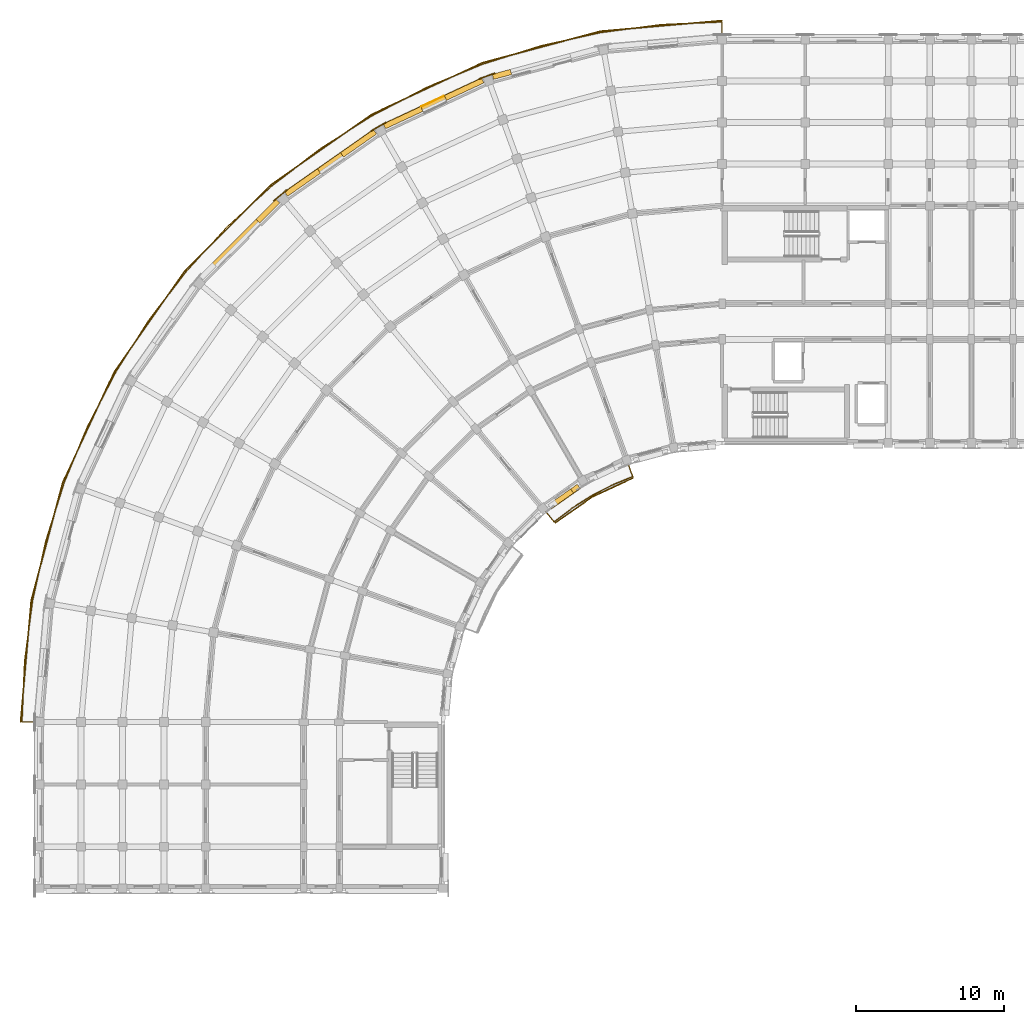
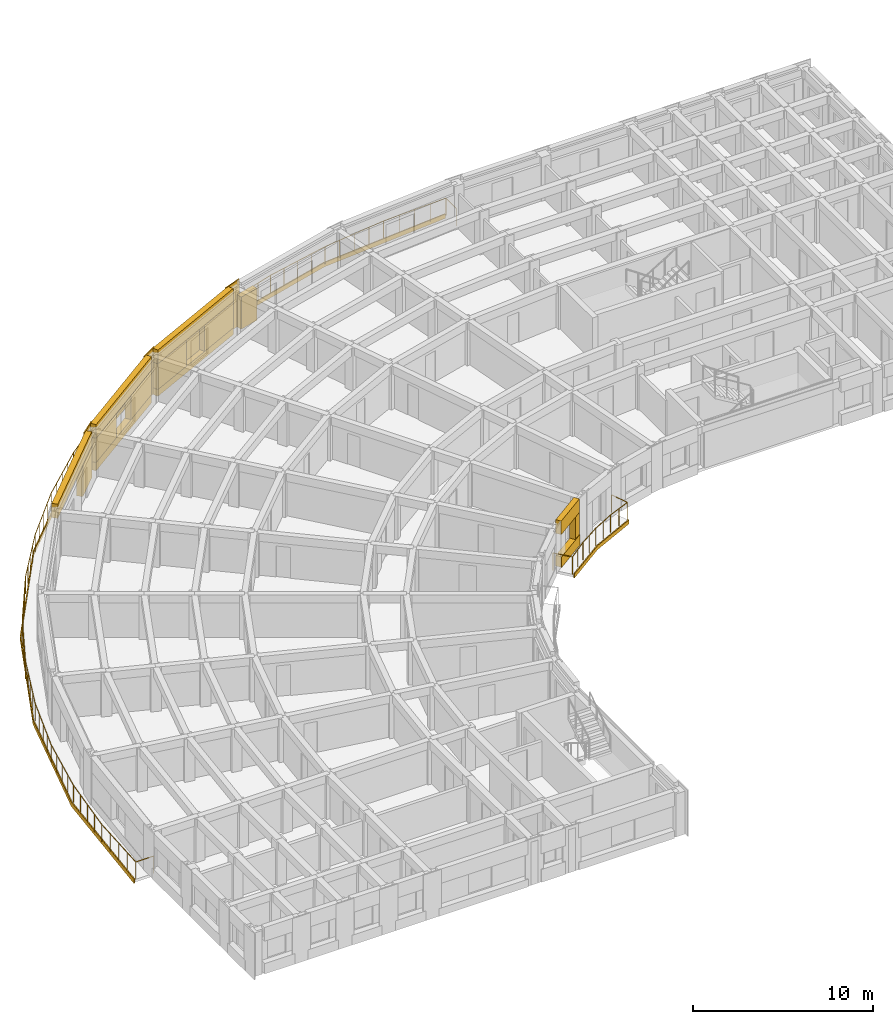
# One storey, part 28 of 36: 19 coverings, 2 railings, 1 shading device.
"""IFC4 building model written with IfcOpenShell, lengths in metres."""

from ifc_helpers import new_model, si_unit, direction, frame, origin, origin_2d, place, context, subcontext, project, spatial, polyline, rectangle, circle, outline, extrude, material, layer, layer_set, type_object, element, save


model = new_model("IFC4")

# Units and contexts
model_context = context("Model", 3, precision=1e-05, world=origin(), true_north=direction((0.0, 1.0)))
body_context = subcontext(model_context, "Body", "Model", "MODEL_VIEW")
ifc_project = project(units=[si_unit("LENGTHUNIT", "METRE"), si_unit("AREAUNIT", "SQUARE_METRE"), si_unit("VOLUMEUNIT", "CUBIC_METRE"), si_unit("PLANEANGLEUNIT", "RADIAN"), si_unit("MASSUNIT", "GRAM", prefix="KILO")], contexts=[model_context])

# Site, building, storey
site_placement = place(None, origin())
site = spatial("IfcSite", under=ifc_project, at=site_placement, CompositionType="ELEMENT")
building_placement = place(site_placement, origin())
building = spatial("IfcBuilding", under=site, at=building_placement, Name="Kiranvali Square Residences", CompositionType="ELEMENT")
storey_placement = place(building_placement, frame((0.0, 0.0, 37.050048828125)))
storey = spatial("IfcBuildingStorey", under=building, at=storey_placement, Name="L11", CompositionType="ELEMENT", Elevation=37.050048828125)

# Coverings
ifc_material_1 = material(Name="Carved Porbandar limestone classical entablature and cornice", Category="masonry")
ifc_layer_1 = layer(ifc_material_1, 0.072021484375)
ifc_layer_set_1 = layer_set([ifc_layer_1], Name="Carved Porbandar limestone classical entablature and cornice")
covering_type_1 = type_object("IfcCoveringType", Name="COV-CLAD-BAL", PredefinedType="CLADDING", material=ifc_layer_set_1)
covering_1_placement = place(storey_placement, frame((0.0, 0.0, -0.239990234375)))
element("IfcCovering", 1, at=covering_1_placement, inside=storey, type_object=covering_type_1, Name="Block A L11 continuous curved limestone balcony fascia", PredefinedType="CLADDING", context=body_context, shape_type="SweptSolid", body=[
    extrude(outline(polyline([(48.199951171875, 135.117919921875), (39.9833984375, 134.399169921875), (32.016357421875, 132.264404296875), (24.541015625, 128.778564453125), (17.78466796875, 124.047607421875), (11.952392578125, 118.21533203125), (7.221435546875, 111.458984375), (3.735595703125, 103.983642578125), (1.600830078125, 96.0166015625), (0.882080078125, 87.800048828125), (0.947998046875, 87.800048828125), (1.665771484375, 96.005126953125), (3.797607421875, 103.961181640625), (7.278564453125, 111.426025390625), (12.0029296875, 118.173095703125), (17.826904296875, 123.9970703125), (24.573974609375, 128.721435546875), (32.038818359375, 132.202392578125), (39.994873046875, 134.334228515625), (48.199951171875, 135.052001953125), (48.199951171875, 135.117919921875)])), origin(), (0.0, 0.0, 1.0), 0.300048828125),
])
ifc_layer_2 = layer(ifc_material_1, 0.06201171875)
ifc_layer_set_2 = layer_set([ifc_layer_2], Name="Carved Porbandar limestone classical entablature and cornice")
covering_type_2 = type_object("IfcCoveringType", Name="COV-CLAD-GBAL", PredefinedType="CLADDING", material=ifc_layer_set_2)
covering_2_placement = place(storey_placement, frame((0.0, 0.0, -0.219970703125)))
element("IfcCovering", 2, at=covering_2_placement, inside=storey, type_object=covering_type_2, Name="Block A L11 garden balcony limestone fascia 1", PredefinedType="CLADDING", context=body_context, shape_type="SweptSolid", body=[
    extrude(outline(polyline([(42.1982421875, 104.289794921875), (39.426025390625, 102.9970703125), (36.92041015625, 101.242431640625), (36.964111328125, 101.1904296875), (39.4599609375, 102.938232421875), (42.221435546875, 104.225830078125), (42.1982421875, 104.289794921875)])), origin(), (0.0, 0.0, 1.0), 0.27001953125),
])
ifc_material_2 = material(Name="Honed Porbandar limestone ashlar facade cladding", Category="masonry")
ifc_layer_3 = layer(ifc_material_2, 0.3798828125)
ifc_layer_set_3 = layer_set([ifc_layer_3], Name="Honed Porbandar limestone ashlar facade cladding")
covering_type_3 = type_object("IfcCoveringType", Name="COV-CLAD-JAMB", PredefinedType="CLADDING", material=ifc_layer_set_3)
covering_3_placement = place(storey_placement, origin())
element("IfcCovering", 3, at=covering_3_placement, inside=storey, type_object=covering_type_3, Name="L11 deep limestone window jamb reveal A-L11-CRV-01.R", PredefinedType="CLADDING", context=body_context, shape_type="SweptSolid", body=[
    extrude(outline(polyline([(33.922119140625, 131.788330078125), (32.7119140625, 131.464111328125), (32.804931640625, 131.116943359375), (34.01513671875, 131.441162109375), (33.922119140625, 131.788330078125)])), origin(), (0.0, 0.0, 1.0), 2.179931640625),
])
covering_4_placement = place(storey_placement, frame((0.0, 0.0, 0.4619140625)))
element("IfcCovering", 4, at=covering_4_placement, inside=storey, type_object=covering_type_3, Name="L11 deep limestone window jamb reveal A-L11-CRV-02.L", PredefinedType="CLADDING", context=body_context, shape_type="SweptSolid", body=[
    extrude(outline(polyline([(31.997802734375, 131.2041015625), (29.474365234375, 130.027587890625), (29.626220703125, 129.70166015625), (32.149658203125, 130.87841796875), (31.997802734375, 131.2041015625)])), origin(), (0.0, 0.0, 1.0), 1.75),
])
covering_5_placement = place(storey_placement, frame((0.0, 0.0, 0.4619140625)))
element("IfcCovering", 5, at=covering_5_placement, inside=storey, type_object=covering_type_3, Name="L11 deep limestone window jamb reveal A-L11-CRV-02.R", PredefinedType="CLADDING", context=body_context, shape_type="SweptSolid", body=[
    extrude(outline(polyline([(27.888427734375, 129.2880859375), (25.364990234375, 128.111328125), (25.51708984375, 127.78564453125), (28.040283203125, 128.962158203125), (27.888427734375, 129.2880859375)])), origin(), (0.0, 0.0, 1.0), 1.75),
])
covering_6_placement = place(storey_placement, frame((0.0, 0.0, 0.56201171875)))
element("IfcCovering", 6, at=covering_6_placement, inside=storey, type_object=covering_type_3, Name="L11 deep limestone window jamb reveal A-L11-CRV-03.L", PredefinedType="CLADDING", context=body_context, shape_type="SweptSolid", body=[
    extrude(outline(polyline([(24.706787109375, 127.731201171875), (22.487548828125, 126.177490234375), (22.69384765625, 125.8828125), (24.9130859375, 127.436767578125), (24.706787109375, 127.731201171875)])), origin(), (0.0, 0.0, 1.0), 1.64990234375),
])
covering_7_placement = place(storey_placement, frame((0.0, 0.0, 0.56201171875)))
element("IfcCovering", 7, at=covering_7_placement, inside=storey, type_object=covering_type_3, Name="L11 deep limestone window jamb reveal A-L11-CRV-03.R", PredefinedType="CLADDING", context=body_context, shape_type="SweptSolid", body=[
    extrude(outline(polyline([(20.93115234375, 125.087646484375), (18.7119140625, 123.53369140625), (18.918212890625, 123.2392578125), (21.137451171875, 124.793212890625), (20.93115234375, 125.087646484375)])), origin(), (0.0, 0.0, 1.0), 1.64990234375),
])
covering_8_placement = place(storey_placement, origin())
element("IfcCovering", 8, at=covering_8_placement, inside=storey, type_object=covering_type_3, Name="L11 deep limestone window jamb reveal A-L11-CRV-04.L", PredefinedType="CLADDING", context=body_context, shape_type="SweptSolid", body=[
    extrude(outline(polyline([(18.129638671875, 123.045166015625), (16.778076171875, 121.693603515625), (17.032470703125, 121.439453125), (18.384033203125, 122.791015625), (18.129638671875, 123.045166015625)])), origin(), (0.0, 0.0, 1.0), 2.179931640625),
])
covering_9_placement = place(storey_placement, frame((0.0, 0.0, 0.721923828125)))
element("IfcCovering", 9, at=covering_9_placement, inside=storey, type_object=covering_type_3, Name="L11 deep limestone window jamb reveal A-L11-GDN-03.L", PredefinedType="CLADDING", context=body_context, shape_type="SweptSolid", body=[
    extrude(outline(polyline([(38.43994140625, 103.828369140625), (37.990478515625, 103.513916015625), (38.185302734375, 103.23583984375), (38.634521484375, 103.55029296875), (38.43994140625, 103.828369140625)])), origin(), (0.0, 0.0, 1.0), 1.5),
])
ifc_layer_4 = layer(ifc_material_2, 0.06494140625)
ifc_layer_set_4 = layer_set([ifc_layer_4], Name="Honed Porbandar limestone ashlar facade cladding")
covering_type_4 = type_object("IfcCoveringType", Name="COV-CLAD-PIER", PredefinedType="CLADDING", material=ifc_layer_set_4)
covering_10_placement = place(storey_placement, frame((0.0, 0.0, 0.0048828125)))
element("IfcCovering", 10, at=covering_10_placement, inside=storey, type_object=covering_type_4, Name="L11 Classical limestone corner pilaster CLAD-PR-A-L11-A02", PredefinedType="CLADDING", context=body_context, shape_type="SweptSolid", body=[
    extrude(outline(polyline([(32.88623046875, 131.570068359375), (31.796142578125, 131.17333984375), (31.8193359375, 131.10986328125), (32.909423828125, 131.506591796875), (32.88623046875, 131.570068359375)])), origin(), (0.0, 0.0, 1.0), 3.14013671875),
])
covering_11_placement = place(storey_placement, frame((0.0, 0.0, 0.0048828125)))
element("IfcCovering", 11, at=covering_11_placement, inside=storey, type_object=covering_type_4, Name="L11 Classical limestone corner pilaster CLAD-PR-A-L11-A03", PredefinedType="CLADDING", context=body_context, shape_type="SweptSolid", body=[
    extrude(outline(polyline([(25.518310546875, 128.245849609375), (24.513671875, 127.665771484375), (24.54736328125, 127.607421875), (25.552001953125, 128.1875), (25.518310546875, 128.245849609375)])), origin(), (0.0, 0.0, 1.0), 3.14013671875),
])
covering_12_placement = place(storey_placement, frame((0.0, 0.0, 0.0048828125)))
element("IfcCovering", 12, at=covering_12_placement, inside=storey, type_object=covering_type_4, Name="L11 Classical limestone corner pilaster CLAD-PR-A-L11-A04", PredefinedType="CLADDING", context=body_context, shape_type="SweptSolid", body=[
    extrude(outline(polyline([(18.839599609375, 123.69287109375), (17.950927734375, 122.947021484375), (17.994384765625, 122.8955078125), (18.8828125, 123.64111328125), (18.839599609375, 123.69287109375)])), origin(), (0.0, 0.0, 1.0), 3.14013671875),
])
ifc_layer_5 = layer(ifc_material_2, 0.360107421875)
ifc_layer_set_5 = layer_set([ifc_layer_5], Name="Honed Porbandar limestone ashlar facade cladding")
covering_type_5 = type_object("IfcCoveringType", Name="COV-CLAD-WALL", PredefinedType="CLADDING", material=ifc_layer_set_5)
covering_13_placement = place(storey_placement, frame((0.0, 0.0, 2.2119140625)))
element("IfcCovering", 13, at=covering_13_placement, inside=storey, type_object=covering_type_5, Name="L11 light limestone spandrel lintel A-L11-CRV-02", PredefinedType="CLADDING", context=body_context, shape_type="SweptSolid", body=[
    extrude(outline(polyline([(31.997802734375, 131.2041015625), (25.364990234375, 128.111328125), (25.51708984375, 127.78564453125), (32.149658203125, 130.87841796875), (31.997802734375, 131.2041015625)])), origin(), (0.0, 0.0, 1.0), 0.93310546875),
])
covering_14_placement = place(storey_placement, frame((0.0, 0.0, 2.2119140625)))
element("IfcCovering", 14, at=covering_14_placement, inside=storey, type_object=covering_type_5, Name="L11 light limestone spandrel lintel A-L11-CRV-03", PredefinedType="CLADDING", context=body_context, shape_type="SweptSolid", body=[
    extrude(outline(polyline([(24.706787109375, 127.731201171875), (18.7119140625, 123.53369140625), (18.918212890625, 123.2392578125), (24.9130859375, 127.436767578125), (24.706787109375, 127.731201171875)])), origin(), (0.0, 0.0, 1.0), 0.93310546875),
])
covering_15_placement = place(storey_placement, frame((0.0, 0.0, 2.179931640625)))
element("IfcCovering", 15, at=covering_15_placement, inside=storey, type_object=covering_type_5, Name="L11 light limestone spandrel lintel A-L11-CRV-04", PredefinedType="CLADDING", context=body_context, shape_type="SweptSolid", body=[
    extrude(outline(polyline([(18.129638671875, 123.045166015625), (12.954833984375, 117.870361328125), (13.208984375, 117.615966796875), (18.384033203125, 122.791015625), (18.129638671875, 123.045166015625)])), origin(), (0.0, 0.0, 1.0), 0.965087890625),
])
covering_16_placement = place(storey_placement, frame((0.0, 0.0, 2.221923828125)))
element("IfcCovering", 16, at=covering_16_placement, inside=storey, type_object=covering_type_5, Name="L11 light limestone spandrel lintel A-L11-GDN-03", PredefinedType="CLADDING", context=body_context, shape_type="SweptSolid", body=[
    extrude(outline(polyline([(38.43994140625, 103.828369140625), (36.476318359375, 102.45361328125), (36.671142578125, 102.175537109375), (38.634521484375, 103.55029296875), (38.43994140625, 103.828369140625)])), origin(), (0.0, 0.0, 1.0), 0.923095703125),
])
ifc_layer_6 = layer(ifc_material_2, 0.320068359375)
ifc_layer_set_6 = layer_set([ifc_layer_6], Name="Honed Porbandar limestone ashlar facade cladding")
covering_type_6 = type_object("IfcCoveringType", Name="COV-CLAD-WALL-UP", PredefinedType="CLADDING", material=ifc_layer_set_6)
covering_17_placement = place(storey_placement, frame((0.0, 0.0, 0.0048828125)))
element("IfcCovering", 17, at=covering_17_placement, inside=storey, type_object=covering_type_6, Name="L11 limestone window sill apron A-L11-CRV-02", PredefinedType="CLADDING", context=body_context, shape_type="SweptSolid", body=[
    extrude(outline(polyline([(31.985107421875, 131.2314453125), (25.352294921875, 128.138671875), (25.51708984375, 127.78564453125), (32.149658203125, 130.87841796875), (31.985107421875, 131.2314453125)])), origin(), (0.0, 0.0, 1.0), 0.45703125),
])
covering_18_placement = place(storey_placement, frame((0.0, 0.0, 0.0048828125)))
element("IfcCovering", 18, at=covering_18_placement, inside=storey, type_object=covering_type_6, Name="L11 limestone window sill apron A-L11-CRV-03", PredefinedType="CLADDING", context=body_context, shape_type="SweptSolid", body=[
    extrude(outline(polyline([(24.689697265625, 127.755859375), (18.69482421875, 123.558349609375), (18.918212890625, 123.2392578125), (24.9130859375, 127.436767578125), (24.689697265625, 127.755859375)])), origin(), (0.0, 0.0, 1.0), 0.55712890625),
])
covering_19_placement = place(storey_placement, frame((0.0, 0.0, 0.0048828125)))
element("IfcCovering", 19, at=covering_19_placement, inside=storey, type_object=covering_type_6, Name="L11 limestone window sill apron A-L11-GDN-03", PredefinedType="CLADDING", context=body_context, shape_type="SweptSolid", body=[
    extrude(outline(polyline([(38.43994140625, 103.828369140625), (36.476318359375, 102.45361328125), (36.688232421875, 102.15087890625), (38.65185546875, 103.52587890625), (38.43994140625, 103.828369140625)])), origin(), (0.0, 0.0, 1.0), 0.717041015625),
])

# Railings
ifc_material_3 = material(Name="Powder-coated architectural bronze balustrade", Category="steel")
railing_type = type_object("IfcRailingType", Name="RL-BAL-GOLD-1200", PredefinedType="BALUSTRADE", material=ifc_material_3)
railing_1_placement = place(storey_placement, frame((48.199951171875, 133.840087890625, 0.0)))
element("IfcRailing", 20, at=railing_1_placement, inside=storey, type_object=railing_type, Name="Block A L11 continuous curved corner gold balustrade", PredefinedType="BALUSTRADE", context=body_context, shape_type="SweptSolid", body=[
    extrude(circle(Radius=0.02392578125, at=origin_2d()), frame((0.0, 0.0, 1.17578125), z_axis=(0.0, 1.0, 0.0), x_axis=(-1.0, 0.0, 0.0)), (0.0, 0.0, 1.0), 1.14990234375),
    extrude(circle(Radius=0.02392578125, at=origin_2d()), frame((0.0, 1.14990234375, 1.17578125), z_axis=(-0.999049544955, -0.043589066576, 0.0), x_axis=(0.043589066576, -0.999049544955, 0.0)), (0.0, 0.0, 1.0), 4.11669921875),
    extrude(circle(Radius=0.02392578125, at=origin_2d()), frame((-4.11279296875, 0.970458984375, 1.17578125), z_axis=(-0.991444603928, -0.1305281477, 0.0), x_axis=(0.1305281477, -0.991444603928, 0.0)), (0.0, 0.0, 1.0), 4.11669921875),
    extrude(circle(Radius=0.02392578125, at=origin_2d()), frame((-8.1943359375, 0.43310546875, 1.17578125), z_axis=(-0.976292989924, -0.216453223181, 0.0), x_axis=(0.216453223181, -0.976292989924, 0.0)), (0.0, 0.0, 1.0), 4.116943359375),
    extrude(circle(Radius=0.02392578125, at=origin_2d()), frame((-12.213623046875, -0.4580078125, 1.17578125), z_axis=(-0.953710744932, -0.300725481131, 0.0), x_axis=(0.300725481131, -0.953710744932, 0.0)), (0.0, 0.0, 1.0), 4.116943359375),
    extrude(circle(Radius=0.02392578125, at=origin_2d()), frame((-16.139892578125, -1.696044921875, 1.17578125), z_axis=(-0.923880226262, -0.382681757498, 0.0), x_axis=(0.382681757498, -0.923880226262, 0.0)), (0.0, 0.0, 1.0), 4.116943359375),
    extrude(circle(Radius=0.02392578125, at=origin_2d()), frame((-19.943359375, -3.271484375, 1.17578125), z_axis=(-0.887013781313, -0.461742949877, 0.0), x_axis=(0.461742949877, -0.887013781313, 0.0)), (0.0, 0.0, 1.0), 4.11669921875),
    extrude(circle(Radius=0.02392578125, at=origin_2d()), frame((-23.594970703125, -5.17236328125, 1.17578125), z_axis=(-0.843402550976, -0.537282176335, 0.0), x_axis=(0.537282176335, -0.843402550976, 0.0)), (0.0, 0.0, 1.0), 4.116943359375),
    extrude(circle(Radius=0.02392578125, at=origin_2d()), frame((-27.067138671875, -7.38427734375, 1.17578125), z_axis=(-0.793339967331, -0.608778856594, 0.0), x_axis=(0.608778856594, -0.793339967331, 0.0)), (0.0, 0.0, 1.0), 4.11669921875),
    extrude(circle(Radius=0.02392578125, at=origin_2d()), frame((-30.3330078125, -9.890380859375, 1.17578125), z_axis=(-0.737299356654, -0.675566176386, 0.0), x_axis=(0.675566176386, -0.737299356654, 0.0)), (0.0, 0.0, 1.0), 4.116943359375),
    extrude(circle(Radius=0.02392578125, at=origin_2d()), frame((-33.368408203125, -12.671630859375, 1.17578125), z_axis=(-0.675566176386, -0.737299356654, 0.0), x_axis=(0.737299356654, -0.675566176386, 0.0)), (0.0, 0.0, 1.0), 4.116943359375),
    extrude(circle(Radius=0.02392578125, at=origin_2d()), frame((-36.149658203125, -15.70703125, 1.17578125), z_axis=(-0.608778856594, -0.793339967331, 0.0), x_axis=(0.793339967331, -0.608778856594, 0.0)), (0.0, 0.0, 1.0), 4.11669921875),
    extrude(circle(Radius=0.02392578125, at=origin_2d()), frame((-38.65576171875, -18.972900390625, 1.17578125), z_axis=(-0.537282176335, -0.843402550976, 0.0), x_axis=(0.843402550976, -0.537282176335, 0.0)), (0.0, 0.0, 1.0), 4.116943359375),
    extrude(circle(Radius=0.02392578125, at=origin_2d()), frame((-40.86767578125, -22.445068359375, 1.17578125), z_axis=(-0.461742949877, -0.887013781313, 0.0), x_axis=(0.887013781313, -0.461742949877, 0.0)), (0.0, 0.0, 1.0), 4.11669921875),
    extrude(circle(Radius=0.02392578125, at=origin_2d()), frame((-42.7685546875, -26.0966796875, 1.17578125), z_axis=(-0.382681757498, -0.923880226262, 0.0), x_axis=(0.923880226262, -0.382681757498, 0.0)), (0.0, 0.0, 1.0), 4.116943359375),
    extrude(circle(Radius=0.02392578125, at=origin_2d()), frame((-44.343994140625, -29.900146484375, 1.17578125), z_axis=(-0.300725481131, -0.953710744932, 0.0), x_axis=(0.953710744932, -0.300725481131, 0.0)), (0.0, 0.0, 1.0), 4.116943359375),
    extrude(circle(Radius=0.02392578125, at=origin_2d()), frame((-45.58203125, -33.826416015625, 1.17578125), z_axis=(-0.216453223181, -0.976292989924, 0.0), x_axis=(0.976292989924, -0.216453223181, 0.0)), (0.0, 0.0, 1.0), 4.116943359375),
    extrude(circle(Radius=0.02392578125, at=origin_2d()), frame((-46.47314453125, -37.845703125, 1.17578125), z_axis=(-0.1305281477, -0.991444603928, 0.0), x_axis=(0.991444603928, -0.1305281477, 0.0)), (0.0, 0.0, 1.0), 4.11669921875),
    extrude(circle(Radius=0.02392578125, at=origin_2d()), frame((-47.010498046875, -41.92724609375, 1.17578125), z_axis=(-0.043589066576, -0.999049544955, 0.0), x_axis=(0.999049544955, -0.043589066576, 0.0)), (0.0, 0.0, 1.0), 4.11669921875),
    extrude(circle(Radius=0.02392578125, at=origin_2d()), frame((-47.18994140625, -46.0400390625, 1.17578125), z_axis=(1.0, 0.0, 0.0), x_axis=(0.0, 1.0, 0.0)), (0.0, 0.0, 1.0), 1.14990234375),
    extrude(circle(Radius=0.02099609375, at=origin_2d()), origin(), (0.0, 0.0, 1.0), 1.15185546875),
    extrude(circle(Radius=0.02099609375, at=origin_2d()), frame((0.0, 1.14990234375, 0.0)), (0.0, 0.0, 1.0), 1.15185546875),
    extrude(circle(Radius=0.02099609375, at=origin_2d()), frame((-1.0283203125, 1.10498046875, 0.0)), (0.0, 0.0, 1.0), 1.15185546875),
    extrude(circle(Radius=0.02099609375, at=origin_2d()), frame((-2.056396484375, 1.06005859375, 0.0)), (0.0, 0.0, 1.0), 1.15185546875),
    extrude(circle(Radius=0.02099609375, at=origin_2d()), frame((-3.08447265625, 1.015380859375, 0.0)), (0.0, 0.0, 1.0), 1.15185546875),
    extrude(circle(Radius=0.02099609375, at=origin_2d()), frame((-4.11279296875, 0.970458984375, 0.0)), (0.0, 0.0, 1.0), 1.15185546875),
    extrude(circle(Radius=0.02099609375, at=origin_2d()), frame((-5.13330078125, 0.836181640625, 0.0)), (0.0, 0.0, 1.0), 1.15185546875),
    extrude(circle(Radius=0.02099609375, at=origin_2d()), frame((-6.153564453125, 0.70166015625, 0.0)), (0.0, 0.0, 1.0), 1.15185546875),
    extrude(circle(Radius=0.02099609375, at=origin_2d()), frame((-7.173828125, 0.5673828125, 0.0)), (0.0, 0.0, 1.0), 1.15185546875),
    extrude(circle(Radius=0.02099609375, at=origin_2d()), frame((-8.1943359375, 0.43310546875, 0.0)), (0.0, 0.0, 1.0), 1.15185546875),
    extrude(circle(Radius=0.02099609375, at=origin_2d()), frame((-9.19921875, 0.21044921875, 0.0)), (0.0, 0.0, 1.0), 1.15185546875),
    extrude(circle(Radius=0.02099609375, at=origin_2d()), frame((-10.2041015625, -0.012451171875, 0.0)), (0.0, 0.0, 1.0), 1.15185546875),
    extrude(circle(Radius=0.02099609375, at=origin_2d()), frame((-11.208740234375, -0.2353515625, 0.0)), (0.0, 0.0, 1.0), 1.15185546875),
    extrude(circle(Radius=0.02099609375, at=origin_2d()), frame((-12.213623046875, -0.4580078125, 0.0)), (0.0, 0.0, 1.0), 1.15185546875),
    extrude(circle(Radius=0.02099609375, at=origin_2d()), frame((-13.1953125, -0.767578125, 0.0)), (0.0, 0.0, 1.0), 1.15185546875),
    extrude(circle(Radius=0.02099609375, at=origin_2d()), frame((-14.1767578125, -1.0771484375, 0.0)), (0.0, 0.0, 1.0), 1.15185546875),
    extrude(circle(Radius=0.02099609375, at=origin_2d()), frame((-15.158203125, -1.386474609375, 0.0)), (0.0, 0.0, 1.0), 1.15185546875),
    extrude(circle(Radius=0.02099609375, at=origin_2d()), frame((-16.139892578125, -1.696044921875, 0.0)), (0.0, 0.0, 1.0), 1.15185546875),
    extrude(circle(Radius=0.02099609375, at=origin_2d()), frame((-17.0908203125, -2.08984375, 0.0)), (0.0, 0.0, 1.0), 1.15185546875),
    extrude(circle(Radius=0.02099609375, at=origin_2d()), frame((-18.04150390625, -2.48388671875, 0.0)), (0.0, 0.0, 1.0), 1.15185546875),
    extrude(circle(Radius=0.02099609375, at=origin_2d()), frame((-18.992431640625, -2.877685546875, 0.0)), (0.0, 0.0, 1.0), 1.15185546875),
    extrude(circle(Radius=0.02099609375, at=origin_2d()), frame((-19.943359375, -3.271484375, 0.0)), (0.0, 0.0, 1.0), 1.15185546875),
    extrude(circle(Radius=0.02099609375, at=origin_2d()), frame((-20.856201171875, -3.74658203125, 0.0)), (0.0, 0.0, 1.0), 1.15185546875),
    extrude(circle(Radius=0.02099609375, at=origin_2d()), frame((-21.76904296875, -4.221923828125, 0.0)), (0.0, 0.0, 1.0), 1.15185546875),
    extrude(circle(Radius=0.02099609375, at=origin_2d()), frame((-22.68212890625, -4.697265625, 0.0)), (0.0, 0.0, 1.0), 1.15185546875),
    extrude(circle(Radius=0.02099609375, at=origin_2d()), frame((-23.594970703125, -5.17236328125, 0.0)), (0.0, 0.0, 1.0), 1.15185546875),
    extrude(circle(Radius=0.02099609375, at=origin_2d()), frame((-24.462890625, -5.725341796875, 0.0)), (0.0, 0.0, 1.0), 1.15185546875),
    extrude(circle(Radius=0.02099609375, at=origin_2d()), frame((-25.3310546875, -6.2783203125, 0.0)), (0.0, 0.0, 1.0), 1.15185546875),
    extrude(circle(Radius=0.02099609375, at=origin_2d()), frame((-26.19921875, -6.831298828125, 0.0)), (0.0, 0.0, 1.0), 1.15185546875),
    extrude(circle(Radius=0.02099609375, at=origin_2d()), frame((-27.067138671875, -7.38427734375, 0.0)), (0.0, 0.0, 1.0), 1.15185546875),
    extrude(circle(Radius=0.02099609375, at=origin_2d()), frame((-27.883544921875, -8.0107421875, 0.0)), (0.0, 0.0, 1.0), 1.15185546875),
    extrude(circle(Radius=0.02099609375, at=origin_2d()), frame((-28.7001953125, -8.63720703125, 0.0)), (0.0, 0.0, 1.0), 1.15185546875),
    extrude(circle(Radius=0.02099609375, at=origin_2d()), frame((-29.5166015625, -9.263916015625, 0.0)), (0.0, 0.0, 1.0), 1.15185546875),
    extrude(circle(Radius=0.02099609375, at=origin_2d()), frame((-30.3330078125, -9.890380859375, 0.0)), (0.0, 0.0, 1.0), 1.15185546875),
    extrude(circle(Radius=0.02099609375, at=origin_2d()), frame((-31.091796875, -10.585693359375, 0.0)), (0.0, 0.0, 1.0), 1.15185546875),
    extrude(circle(Radius=0.02099609375, at=origin_2d()), frame((-31.8505859375, -11.281005859375, 0.0)), (0.0, 0.0, 1.0), 1.15185546875),
    extrude(circle(Radius=0.02099609375, at=origin_2d()), frame((-32.609619140625, -11.976318359375, 0.0)), (0.0, 0.0, 1.0), 1.15185546875),
    extrude(circle(Radius=0.02099609375, at=origin_2d()), frame((-33.368408203125, -12.671630859375, 0.0)), (0.0, 0.0, 1.0), 1.15185546875),
    extrude(circle(Radius=0.02099609375, at=origin_2d()), frame((-34.063720703125, -13.430419921875, 0.0)), (0.0, 0.0, 1.0), 1.15185546875),
    extrude(circle(Radius=0.02099609375, at=origin_2d()), frame((-34.759033203125, -14.189453125, 0.0)), (0.0, 0.0, 1.0), 1.15185546875),
    extrude(circle(Radius=0.02099609375, at=origin_2d()), frame((-35.454345703125, -14.9482421875, 0.0)), (0.0, 0.0, 1.0), 1.15185546875),
    extrude(circle(Radius=0.02099609375, at=origin_2d()), frame((-36.149658203125, -15.70703125, 0.0)), (0.0, 0.0, 1.0), 1.15185546875),
    extrude(circle(Radius=0.02099609375, at=origin_2d()), frame((-36.776123046875, -16.5234375, 0.0)), (0.0, 0.0, 1.0), 1.15185546875),
    extrude(circle(Radius=0.02099609375, at=origin_2d()), frame((-37.40283203125, -17.33984375, 0.0)), (0.0, 0.0, 1.0), 1.15185546875),
    extrude(circle(Radius=0.02099609375, at=origin_2d()), frame((-38.029296875, -18.156494140625, 0.0)), (0.0, 0.0, 1.0), 1.15185546875),
    extrude(circle(Radius=0.02099609375, at=origin_2d()), frame((-38.65576171875, -18.972900390625, 0.0)), (0.0, 0.0, 1.0), 1.15185546875),
    extrude(circle(Radius=0.02099609375, at=origin_2d()), frame((-39.208740234375, -19.8408203125, 0.0)), (0.0, 0.0, 1.0), 1.15185546875),
    extrude(circle(Radius=0.02099609375, at=origin_2d()), frame((-39.76171875, -20.708984375, 0.0)), (0.0, 0.0, 1.0), 1.15185546875),
    extrude(circle(Radius=0.02099609375, at=origin_2d()), frame((-40.314697265625, -21.5771484375, 0.0)), (0.0, 0.0, 1.0), 1.15185546875),
    extrude(circle(Radius=0.02099609375, at=origin_2d()), frame((-40.86767578125, -22.445068359375, 0.0)), (0.0, 0.0, 1.0), 1.15185546875),
    extrude(circle(Radius=0.02099609375, at=origin_2d()), frame((-41.3427734375, -23.35791015625, 0.0)), (0.0, 0.0, 1.0), 1.15185546875),
    extrude(circle(Radius=0.02099609375, at=origin_2d()), frame((-41.818115234375, -24.27099609375, 0.0)), (0.0, 0.0, 1.0), 1.15185546875),
    extrude(circle(Radius=0.02099609375, at=origin_2d()), frame((-42.29345703125, -25.183837890625, 0.0)), (0.0, 0.0, 1.0), 1.15185546875),
    extrude(circle(Radius=0.02099609375, at=origin_2d()), frame((-42.7685546875, -26.0966796875, 0.0)), (0.0, 0.0, 1.0), 1.15185546875),
    extrude(circle(Radius=0.02099609375, at=origin_2d()), frame((-43.162353515625, -27.047607421875, 0.0)), (0.0, 0.0, 1.0), 1.15185546875),
    extrude(circle(Radius=0.02099609375, at=origin_2d()), frame((-43.55615234375, -27.99853515625, 0.0)), (0.0, 0.0, 1.0), 1.15185546875),
    extrude(circle(Radius=0.02099609375, at=origin_2d()), frame((-43.9501953125, -28.94921875, 0.0)), (0.0, 0.0, 1.0), 1.15185546875),
    extrude(circle(Radius=0.02099609375, at=origin_2d()), frame((-44.343994140625, -29.900146484375, 0.0)), (0.0, 0.0, 1.0), 1.15185546875),
    extrude(circle(Radius=0.02099609375, at=origin_2d()), frame((-44.653564453125, -30.8818359375, 0.0)), (0.0, 0.0, 1.0), 1.15185546875),
    extrude(circle(Radius=0.02099609375, at=origin_2d()), frame((-44.962890625, -31.86328125, 0.0)), (0.0, 0.0, 1.0), 1.15185546875),
    extrude(circle(Radius=0.02099609375, at=origin_2d()), frame((-45.2724609375, -32.8447265625, 0.0)), (0.0, 0.0, 1.0), 1.15185546875),
    extrude(circle(Radius=0.02099609375, at=origin_2d()), frame((-45.58203125, -33.826416015625, 0.0)), (0.0, 0.0, 1.0), 1.15185546875),
    extrude(circle(Radius=0.02099609375, at=origin_2d()), frame((-45.8046875, -34.831298828125, 0.0)), (0.0, 0.0, 1.0), 1.15185546875),
    extrude(circle(Radius=0.02099609375, at=origin_2d()), frame((-46.027587890625, -35.8359375, 0.0)), (0.0, 0.0, 1.0), 1.15185546875),
    extrude(circle(Radius=0.02099609375, at=origin_2d()), frame((-46.25048828125, -36.8408203125, 0.0)), (0.0, 0.0, 1.0), 1.15185546875),
    extrude(circle(Radius=0.02099609375, at=origin_2d()), frame((-46.47314453125, -37.845703125, 0.0)), (0.0, 0.0, 1.0), 1.15185546875),
    extrude(circle(Radius=0.02099609375, at=origin_2d()), frame((-46.607421875, -38.8662109375, 0.0)), (0.0, 0.0, 1.0), 1.15185546875),
    extrude(circle(Radius=0.02099609375, at=origin_2d()), frame((-46.74169921875, -39.886474609375, 0.0)), (0.0, 0.0, 1.0), 1.15185546875),
    extrude(circle(Radius=0.02099609375, at=origin_2d()), frame((-46.876220703125, -40.90673828125, 0.0)), (0.0, 0.0, 1.0), 1.15185546875),
    extrude(circle(Radius=0.02099609375, at=origin_2d()), frame((-47.010498046875, -41.92724609375, 0.0)), (0.0, 0.0, 1.0), 1.15185546875),
    extrude(circle(Radius=0.02099609375, at=origin_2d()), frame((-47.055419921875, -42.95556640625, 0.0)), (0.0, 0.0, 1.0), 1.15185546875),
    extrude(circle(Radius=0.02099609375, at=origin_2d()), frame((-47.10009765625, -43.983642578125, 0.0)), (0.0, 0.0, 1.0), 1.15185546875),
    extrude(circle(Radius=0.02099609375, at=origin_2d()), frame((-47.14501953125, -45.01171875, 0.0)), (0.0, 0.0, 1.0), 1.15185546875),
    extrude(circle(Radius=0.02099609375, at=origin_2d()), frame((-47.18994140625, -46.0400390625, 0.0)), (0.0, 0.0, 1.0), 1.15185546875),
    extrude(circle(Radius=0.02099609375, at=origin_2d()), frame((-46.0400390625, -46.0400390625, 0.0)), (0.0, 0.0, 1.0), 1.15185546875),
])
railing_2_placement = place(storey_placement, frame((41.78369140625, 105.4287109375, 0.0)))
element("IfcRailing", 21, at=railing_2_placement, inside=storey, type_object=railing_type, Name="Block A L11 garden balcony gold balustrade 1", PredefinedType="BALUSTRADE", context=body_context, shape_type="SweptSolid", body=[
    extrude(circle(Radius=0.02392578125, at=origin_2d()), frame((0.0, 0.0, 1.17578125), z_axis=(0.341964618562, -0.939712828289, 0.0), x_axis=(0.939712828289, 0.341964618562, 0.0)), (0.0, 0.0, 1.0), 1.150146484375),
    extrude(circle(Radius=0.02392578125, at=origin_2d()), frame((0.393310546875, -1.080810546875, 1.17578125), z_axis=(-0.923892883829, -0.382651197843, 0.0), x_axis=(0.382651197843, -0.923892883829, 0.0)), (0.0, 0.0, 1.0), 1.536376953125),
    extrude(circle(Radius=0.02392578125, at=origin_2d()), frame((-1.026123046875, -1.668701171875, 1.17578125), z_axis=(-0.887029366154, -0.461713009976, 0.0), x_axis=(0.461713009976, -0.887029366154, 0.0)), (0.0, 0.0, 1.0), 1.5361328125),
    extrude(circle(Radius=0.02392578125, at=origin_2d()), frame((-2.388671875, -2.3779296875, 1.17578125), z_axis=(-0.843386539688, -0.537307309343, 0.0), x_axis=(0.537307309343, -0.843386539688, 0.0)), (0.0, 0.0, 1.0), 1.5361328125),
    extrude(circle(Radius=0.02392578125, at=origin_2d()), frame((-3.684326171875, -3.203369140625, 1.17578125), z_axis=(-0.793314680996, -0.608811807471, 0.0), x_axis=(0.608811807471, -0.793314680996, 0.0)), (0.0, 0.0, 1.0), 1.536376953125),
    extrude(circle(Radius=0.02392578125, at=origin_2d()), frame((-4.903076171875, -4.138671875, 1.17578125), z_axis=(-0.642853454051, 0.765989188314, 0.0), x_axis=(-0.765989188314, -0.642853454051, 0.0)), (0.0, 0.0, 1.0), 1.14990234375),
    extrude(circle(Radius=0.02099609375, at=origin_2d()), origin(), (0.0, 0.0, 1.0), 1.15185546875),
    extrude(circle(Radius=0.02099609375, at=origin_2d()), frame((0.393310546875, -1.080810546875, 0.0)), (0.0, 0.0, 1.0), 1.15185546875),
    extrude(circle(Radius=0.02099609375, at=origin_2d()), frame((-0.31640625, -1.374755859375, 0.0)), (0.0, 0.0, 1.0), 1.15185546875),
    extrude(circle(Radius=0.02099609375, at=origin_2d()), frame((-1.026123046875, -1.668701171875, 0.0)), (0.0, 0.0, 1.0), 1.15185546875),
    extrude(circle(Radius=0.02099609375, at=origin_2d()), frame((-1.70751953125, -2.0234375, 0.0)), (0.0, 0.0, 1.0), 1.15185546875),
    extrude(circle(Radius=0.02099609375, at=origin_2d()), frame((-2.388671875, -2.3779296875, 0.0)), (0.0, 0.0, 1.0), 1.15185546875),
    extrude(circle(Radius=0.02099609375, at=origin_2d()), frame((-3.03662109375, -2.79052734375, 0.0)), (0.0, 0.0, 1.0), 1.15185546875),
    extrude(circle(Radius=0.02099609375, at=origin_2d()), frame((-3.684326171875, -3.203369140625, 0.0)), (0.0, 0.0, 1.0), 1.15185546875),
    extrude(circle(Radius=0.02099609375, at=origin_2d()), frame((-4.293701171875, -3.6708984375, 0.0)), (0.0, 0.0, 1.0), 1.15185546875),
    extrude(circle(Radius=0.02099609375, at=origin_2d()), frame((-4.903076171875, -4.138671875, 0.0)), (0.0, 0.0, 1.0), 1.15185546875),
    extrude(circle(Radius=0.02099609375, at=origin_2d()), frame((-5.642333984375, -3.2578125, 0.0)), (0.0, 0.0, 1.0), 1.15185546875),
])

# Shading device
ifc_material_4 = material(Name="Pierced buff sandstone architectural mashrabiya solar screen", Category="masonry")
shading_device_type = type_object("IfcShadingDeviceType", Name="SHD-JALI-1800", PredefinedType="JALOUSIE", material=ifc_material_4)
shading_device_placement = place(storey_placement, frame((28.68994140625, 129.6396484375, 0.4619140625), z_axis=(0.0, 0.0, 1.0), x_axis=(-0.906307787037, -0.422618261741, 0.0)))
element("IfcShadingDevice", 22, at=shading_device_placement, inside=storey, type_object=shading_device_type, Name="L11 carved stone Mashrabiya screen A-L11-CRV-02", PredefinedType="JALOUSIE", context=body_context, shape_type="SweptSolid", body=[
    extrude(rectangle(XDim=1.64990234375, YDim=0.044921875, at=origin_2d()), origin(), (0.0, 0.0, 1.0), 1.75),
])

save(model, "model.ifc")
